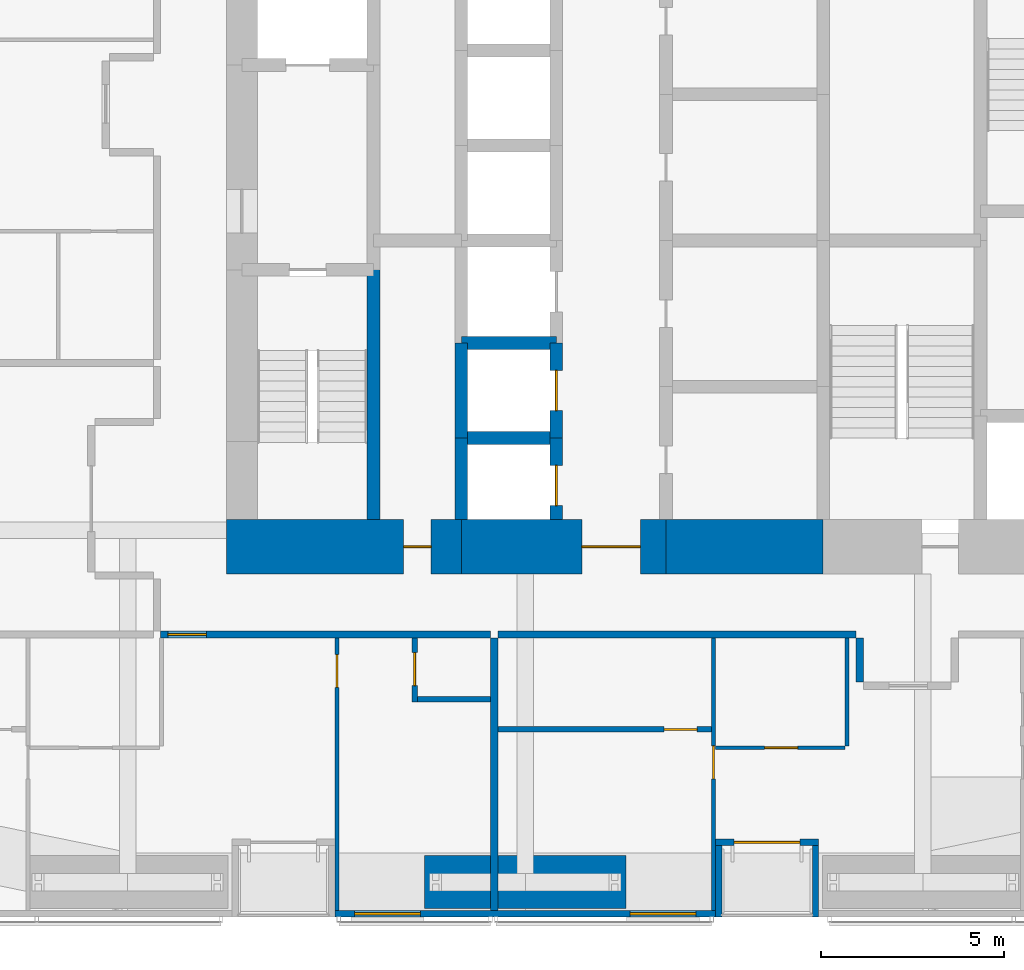
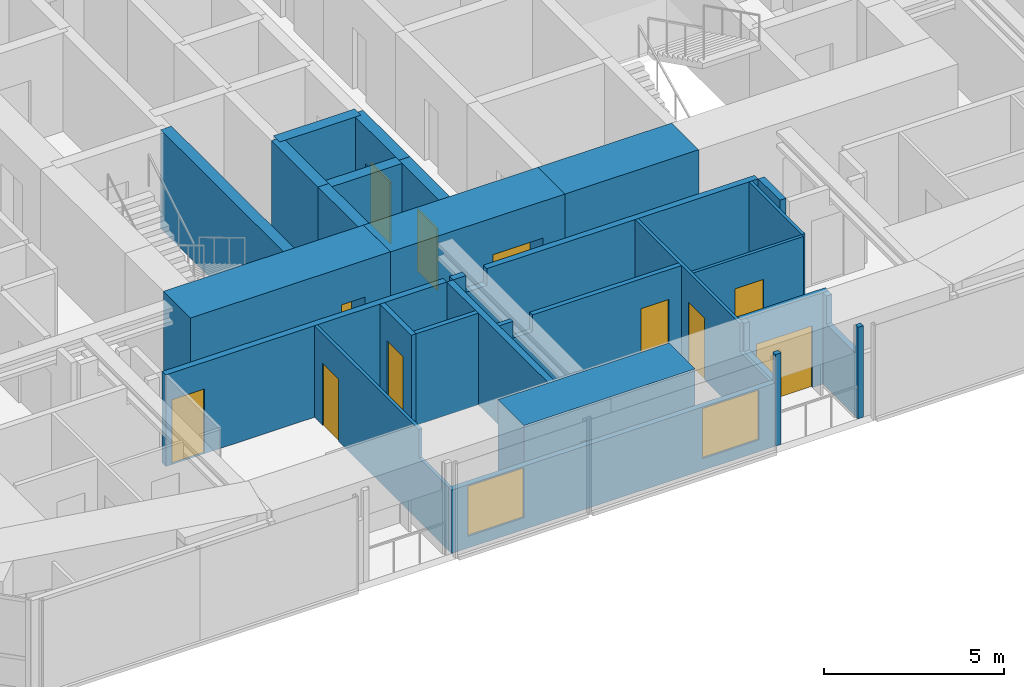
# One storey, part 18 of 24: 26 walls, 11 doors, 2 windows, 13 openings.
"""IFC4 building model written with IfcOpenShell, lengths in metres."""

from ifc_helpers import new_model, si_unit, direction, frame, frame_2d, origin, place, context, subcontext, project, spatial, polyline, rectangle, outline, extrude, material, layer, layer_set, constituent, constituent_set, type_object, element, fill, save


model = new_model("IFC4")

# Units and contexts
model_context = context("Model", 3, precision=1e-05, world=origin(), true_north=direction((0.0, 1.0)))
body_context = subcontext(model_context, "Body", "Model", "MODEL_VIEW")
ifc_project = project(units=[si_unit("LENGTHUNIT", "METRE"), si_unit("AREAUNIT", "SQUARE_METRE"), si_unit("VOLUMEUNIT", "CUBIC_METRE"), si_unit("PLANEANGLEUNIT", "RADIAN"), si_unit("MASSUNIT", "GRAM", prefix="KILO")], contexts=[model_context])

# Site, building, storey
site_placement = place(None, origin())
site = spatial("IfcSite", under=ifc_project, at=site_placement, CompositionType="ELEMENT")
building_placement = place(site_placement, origin())
building = spatial("IfcBuilding", under=site, at=building_placement, Name="Jalousie Tower", CompositionType="ELEMENT")
storey_placement = place(building_placement, frame((0.0, 0.0, 128.300048828125)))
storey = spatial("IfcBuildingStorey", under=building, at=storey_placement, Name="L35", CompositionType="ELEMENT", Elevation=128.300048828125)

# Wall, opening, door
ifc_material_1 = material(Name="Concrete block ASTM C90", Category="concrete")
ifc_constituent_1 = constituent(ifc_material_1, Name="Body")
ifc_material_2 = material(Name="Render")
ifc_constituent_2 = constituent(ifc_material_2, Name="Finish")
ifc_constituent_set_1 = constituent_set(constituents=[ifc_constituent_1, ifc_constituent_2])
wall_type_1 = type_object("IfcWallType", Name="BATHROOM WALL 150", PredefinedType="PLUMBINGWALL", material=ifc_constituent_set_1)
wall_1_placement = place(storey_placement, frame((27.0, 5.125, 0.0), z_axis=(0.0, 0.0, 1.0), x_axis=(1.0, 0.0, 0.0)))
wall_1 = element("IfcWall", 1, at=wall_1_placement, inside=storey, type_object=wall_type_1, Name="Bathroom Wall 150 L35", PredefinedType="PLUMBINGWALL", context=body_context, shape_type="SweptSolid", body=[
    extrude(outline(polyline([(0.0, 0.0), (5.85009765625, 0.0), (5.85009765625, 3.10986328125), (1.0625, 3.10986328125), (1.0625, 2.541015625), (0.4375, 2.541015625), (0.4375, 3.10986328125), (0.0, 3.10986328125), (0.0, 0.0)])), frame((0.0, 0.074951171875, 0.0), z_axis=(0.0, -1.0, 0.0), x_axis=(1.0, 0.0, 0.0)), (0.0, 0.0, 1.0), 0.14990234375),
])
opening_1_placement = place(wall_1_placement, frame((4.550048828125, 0.0, 0.0)))
opening_1 = element("IfcOpeningElement", 2, at=opening_1_placement, cuts=wall_1, Name="Opening D3", PredefinedType="OPENING", context=body_context, shape_type="SweptSolid", body=[
    extrude(rectangle(XDim=0.89990234375, YDim=2.10009765625, at=frame_2d((0.449951171875, 1.050048828125))), frame((0.0, 0.0849609375, 0.0), z_axis=(0.0, -1.0, 0.0), x_axis=(1.0, 0.0, 0.0)), (0.0, 0.0, 1.0), 0.169921875),
])
ifc_material_3 = material(Name="Timber door", Category="wood")
door_type_1 = type_object("IfcDoorType", Name="BATHROOM DOOR 900", OperationType="SINGLE_SWING_LEFT", PredefinedType="DOOR", material=ifc_material_3)
door_1_placement = place(opening_1_placement, origin())
door_1 = element("IfcDoor", 3, at=door_1_placement, inside=storey, type_object=door_type_1, Name="Apartment 3502 bedroom 1 bathroom door", OperationType="SINGLE_SWING_RIGHT", OverallHeight=2.10009765625, OverallWidth=0.89990234375, PredefinedType="DOOR", context=body_context, shape_type="SweptSolid", body=[
    extrude(rectangle(XDim=0.89990234375, YDim=2.10009765625, at=frame_2d((0.449951171875, 1.050048828125))), frame((0.0, 0.02490234375, 0.0), z_axis=(0.0, -1.0, 0.0), x_axis=(1.0, 0.0, 0.0)), (0.0, 0.0, 1.0), 0.050048828125),
])
fill(opening_1, door_1)

wall_2_placement = place(storey_placement, frame((24.72509765625, 7.625, 0.0), z_axis=(0.0, 0.0, 1.0), x_axis=(0.0, -1.0, 0.0)))
wall_2 = element("IfcWall", 4, at=wall_2_placement, inside=storey, type_object=wall_type_1, Name="Bathroom Wall 150 L35", PredefinedType="PLUMBINGWALL", context=body_context, shape_type="SweptSolid", body=[
    extrude(rectangle(XDim=1.75, YDim=0.14990234375, at=frame_2d((0.875, 0.0))), origin(), (0.0, 0.0, 1.0), 3.10986328125),
])
opening_2_placement = place(wall_2_placement, frame((0.39990234375, 0.0, 0.0)))
opening_2 = element("IfcOpeningElement", 5, at=opening_2_placement, cuts=wall_2, Name="Opening D7", PredefinedType="OPENING", context=body_context, shape_type="SweptSolid", body=[
    extrude(rectangle(XDim=0.89990234375, YDim=2.10009765625, at=frame_2d((0.449951171875, 1.050048828125))), frame((0.0, 0.0849609375, 0.0), z_axis=(0.0, -1.0, 0.0), x_axis=(1.0, 0.0, 0.0)), (0.0, 0.0, 1.0), 0.169921875),
])
ifc_material_4 = material(Name="Timber door", Category="wood")
door_type_2 = type_object("IfcDoorType", Name="INTERNAL DOOR 900", OperationType="SINGLE_SWING_LEFT", PredefinedType="DOOR", material=ifc_material_4)
door_2_placement = place(opening_2_placement, origin())
door_2 = element("IfcDoor", 6, at=door_2_placement, inside=storey, type_object=door_type_2, Name="Apartment 3501 guest WC door", OperationType="SINGLE_SWING_RIGHT", OverallHeight=2.10009765625, OverallWidth=0.89990234375, PredefinedType="DOOR", context=body_context, shape_type="SweptSolid", body=[
    extrude(rectangle(XDim=0.89990234375, YDim=2.10009765625, at=frame_2d((0.449951171875, 1.050048828125))), frame((0.0, 0.02490234375, 0.0), z_axis=(0.0, -1.0, 0.0), x_axis=(1.0, 0.0, 0.0)), (0.0, 0.0, 1.0), 0.050048828125),
])
fill(opening_2, door_2)

# Wall
wall_3_placement = place(storey_placement, frame((26.800048828125, 5.949951171875, 0.0), z_axis=(0.0, 0.0, 1.0), x_axis=(-1.0, 0.0, 0.0)))
element("IfcWall", 7, at=wall_3_placement, inside=storey, type_object=wall_type_1, Name="Bathroom Wall 150 L35", PredefinedType="PLUMBINGWALL", context=body_context, shape_type="SweptSolid", body=[
    extrude(rectangle(XDim=2.0, YDim=0.14990234375, at=frame_2d((1.0, 0.0))), origin(), (0.0, 0.0, 1.0), 3.10986328125),
])

# Wall, opening, door
ifc_material_5 = material(Name="Concrete f'c 120 MPa", Category="concrete")
ifc_layer_1 = layer(ifc_material_5, 1.5)
ifc_layer_set_1 = layer_set([ifc_layer_1], Name="Concrete f'c 120 MPa")
wall_type_2 = type_object("IfcWallType", Name="CORE WALL 1500", PredefinedType="SHEAR", material=ifc_layer_set_1)
wall_4_placement = place(storey_placement, frame((19.574951171875, 10.125, 0.0), z_axis=(0.0, 0.0, 1.0), x_axis=(1.0, 0.0, 0.0)))
wall_4 = element("IfcWall", 8, at=wall_4_placement, inside=storey, type_object=wall_type_2, Name="Core wall SA L35", PredefinedType="SHEAR", context=body_context, shape_type="SweptSolid", body=[
    extrude(rectangle(XDim=6.425048828125, YDim=1.5, at=frame_2d((3.21240234375, 0.0))), origin(), (0.0, 0.0, 1.0), 3.349853515625),
])
opening_3_placement = place(wall_4_placement, frame((4.85009765625, 0.0, 0.0)))
opening_3 = element("IfcOpeningElement", 9, at=opening_3_placement, cuts=wall_4, Name="Opening D16", PredefinedType="OPENING", context=body_context, shape_type="SweptSolid", body=[
    extrude(rectangle(XDim=0.75, YDim=2.10009765625, at=frame_2d((0.375, 1.050048828125))), frame((0.0, 0.760009765625, 0.0), z_axis=(0.0, -1.0, 0.0), x_axis=(1.0, 0.0, 0.0)), (0.0, 0.0, 1.0), 1.52001953125),
])
ifc_material_6 = material(Name="Steel fire door", Category="steel")
door_type_3 = type_object("IfcDoorType", Name="RISER DOOR 750", OperationType="SINGLE_SWING_LEFT", PredefinedType="DOOR", material=ifc_material_6)
door_3_placement = place(opening_3_placement, origin())
door_3 = element("IfcDoor", 10, at=door_3_placement, inside=storey, type_object=door_type_3, Name="South riser door", OperationType="SINGLE_SWING_LEFT", OverallHeight=2.10009765625, OverallWidth=0.75, PredefinedType="DOOR", context=body_context, shape_type="SweptSolid", body=[
    extrude(rectangle(XDim=0.75, YDim=2.10009765625, at=frame_2d((0.375, 1.050048828125))), frame((0.0, 0.02490234375, 0.0), z_axis=(0.0, -1.0, 0.0), x_axis=(1.0, 0.0, 0.0)), (0.0, 0.0, 1.0), 0.050048828125),
])
fill(opening_3, door_3)

wall_5_placement = place(storey_placement, frame((26.0, 10.125, 0.0), z_axis=(0.0, 0.0, 1.0), x_axis=(1.0, 0.0, 0.0)))
wall_5 = element("IfcWall", 11, at=wall_5_placement, inside=storey, type_object=wall_type_2, Name="Core wall SB L35", PredefinedType="SHEAR", context=body_context, shape_type="SweptSolid", body=[
    extrude(rectangle(XDim=5.60009765625, YDim=1.5, at=frame_2d((2.800048828125, 0.0))), origin(), (0.0, 0.0, 1.0), 3.349853515625),
])
opening_4_placement = place(wall_5_placement, frame((3.300048828125, 0.0, 0.0)))
opening_4 = element("IfcOpeningElement", 12, at=opening_4_placement, cuts=wall_5, Name="Opening D15", PredefinedType="OPENING", context=body_context, shape_type="SweptSolid", body=[
    extrude(rectangle(XDim=1.60009765625, YDim=2.10009765625, at=frame_2d((0.800048828125, 1.050048828125))), frame((0.0, 0.760009765625, 0.0), z_axis=(0.0, -1.0, 0.0), x_axis=(1.0, 0.0, 0.0)), (0.0, 0.0, 1.0), 1.52001953125),
])
ifc_material_7 = material(Name="Steel fire door", Category="steel")
door_type_4 = type_object("IfcDoorType", Name="LIFT LOBBY DOOR 1600", OperationType="DOUBLE_DOOR_SINGLE_SWING", PredefinedType="DOOR", material=ifc_material_7)
door_4_placement = place(opening_4_placement, origin())
door_4 = element("IfcDoor", 13, at=door_4_placement, inside=storey, type_object=door_type_4, Name="Lift lobby south door", OperationType="DOUBLE_DOOR_SINGLE_SWING", OverallHeight=2.10009765625, OverallWidth=1.60009765625, PredefinedType="DOOR", context=body_context, shape_type="SweptSolid", body=[
    extrude(rectangle(XDim=1.60009765625, YDim=2.10009765625, at=frame_2d((0.800048828125, 1.050048828125))), frame((0.0, 0.02490234375, 0.0), z_axis=(0.0, -1.0, 0.0), x_axis=(1.0, 0.0, 0.0)), (0.0, 0.0, 1.0), 0.050048828125),
])
fill(opening_4, door_4)

# Walls
wall_6_placement = place(storey_placement, frame((31.60009765625, 10.125, 0.0), z_axis=(0.0, 0.0, 1.0), x_axis=(1.0, 0.0, 0.0)))
element("IfcWall", 14, at=wall_6_placement, inside=storey, type_object=wall_type_2, Name="Core wall SC L35", PredefinedType="SHEAR", context=body_context, shape_type="SweptSolid", body=[
    extrude(rectangle(XDim=4.2998046875, YDim=1.5, at=frame_2d((2.14990234375, 0.0))), origin(), (0.0, 0.0, 1.0), 3.349853515625),
])
ifc_material_8 = material(Name="Concrete f'c 120 MPa", Category="concrete")
ifc_layer_2 = layer(ifc_material_8, 0.35009765625)
ifc_layer_set_2 = layer_set([ifc_layer_2], Name="Concrete f'c 120 MPa")
wall_type_3 = type_object("IfcWallType", Name="CORE WALL 350", PredefinedType="SHEAR", material=ifc_layer_set_2)
wall_7_placement = place(storey_placement, frame((23.60009765625, 10.875, 0.0), z_axis=(0.0, 0.0, 1.0), x_axis=(0.0, 1.0, 0.0)))
element("IfcWall", 15, at=wall_7_placement, inside=storey, type_object=wall_type_3, Name="Core wall X23.6A L35", PredefinedType="SHEAR", context=body_context, shape_type="SweptSolid", body=[
    extrude(rectangle(XDim=6.824951171875, YDim=0.35009765625, at=frame_2d((3.41259765625, 0.0))), origin(), (0.0, 0.0, 1.0), 3.349853515625),
])
wall_8_placement = place(storey_placement, frame((26.0, 10.875, 0.0), z_axis=(0.0, 0.0, 1.0), x_axis=(0.0, 1.0, 0.0)))
element("IfcWall", 16, at=wall_8_placement, inside=storey, type_object=wall_type_3, Name="Core wall X26A L35", PredefinedType="SHEAR", context=body_context, shape_type="SweptSolid", body=[
    extrude(rectangle(XDim=2.22509765625, YDim=0.35009765625, at=frame_2d((1.112548828125, 0.0))), origin(), (0.0, 0.0, 1.0), 3.349853515625),
])
wall_9_placement = place(storey_placement, frame((26.0, 13.10009765625, 0.0), z_axis=(0.0, 0.0, 1.0), x_axis=(0.0, 1.0, 0.0)))
element("IfcWall", 17, at=wall_9_placement, inside=storey, type_object=wall_type_3, Name="Core wall X26B L35", PredefinedType="SHEAR", context=body_context, shape_type="SweptSolid", body=[
    extrude(rectangle(XDim=2.599853515625, YDim=0.35009765625, at=frame_2d((1.2998046875, 0.0))), origin(), (0.0, 0.0, 1.0), 3.349853515625),
])

# Wall, opening, door
wall_10_placement = place(storey_placement, frame((28.60009765625, 10.875, 0.0), z_axis=(0.0, 0.0, 1.0), x_axis=(0.0, 1.0, 0.0)))
wall_10 = element("IfcWall", 18, at=wall_10_placement, inside=storey, type_object=wall_type_3, Name="Core wall X28.6A L35", PredefinedType="SHEAR", context=body_context, shape_type="SweptSolid", body=[
    extrude(rectangle(XDim=2.22509765625, YDim=0.35009765625, at=frame_2d((1.112548828125, 0.0))), origin(), (0.0, 0.0, 1.0), 3.349853515625),
])
opening_5_placement = place(wall_10_placement, frame((0.375, 0.0, 0.0)))
opening_5 = element("IfcOpeningElement", 19, at=opening_5_placement, cuts=wall_10, Name="Opening LD1", PredefinedType="OPENING", context=body_context, shape_type="SweptSolid", body=[
    extrude(rectangle(XDim=1.10009765625, YDim=2.10009765625, at=frame_2d((0.550048828125, 1.050048828125))), frame((0.0, 0.18505859375, 0.0), z_axis=(0.0, -1.0, 0.0), x_axis=(1.0, 0.0, 0.0)), (0.0, 0.0, 1.0), 0.3701171875),
])
ifc_material_9 = material(Name="Steel lift landing door", Category="steel")
door_type_5 = type_object("IfcDoorType", Name="LIFT LANDING DOOR 1100", OperationType="SLIDING_TO_LEFT", PredefinedType="DOOR", material=ifc_material_9)
door_5_placement = place(opening_5_placement, origin())
door_5 = element("IfcDoor", 20, at=door_5_placement, inside=storey, type_object=door_type_5, Name="Lift P1 landing door", OperationType="SLIDING_TO_LEFT", OverallHeight=2.10009765625, OverallWidth=1.10009765625, PredefinedType="DOOR", context=body_context, shape_type="SweptSolid", body=[
    extrude(rectangle(XDim=1.10009765625, YDim=2.10009765625, at=frame_2d((0.550048828125, 1.050048828125))), frame((0.0, 0.02490234375, 0.0), z_axis=(0.0, -1.0, 0.0), x_axis=(1.0, 0.0, 0.0)), (0.0, 0.0, 1.0), 0.050048828125),
])
fill(opening_5, door_5)

wall_11_placement = place(storey_placement, frame((28.60009765625, 13.10009765625, 0.0), z_axis=(0.0, 0.0, 1.0), x_axis=(0.0, 1.0, 0.0)))
wall_11 = element("IfcWall", 21, at=wall_11_placement, inside=storey, type_object=wall_type_3, Name="Core wall X28.6B L35", PredefinedType="SHEAR", context=body_context, shape_type="SweptSolid", body=[
    extrude(rectangle(XDim=2.599853515625, YDim=0.35009765625, at=frame_2d((1.2998046875, 0.0))), origin(), (0.0, 0.0, 1.0), 3.349853515625),
])
opening_6_placement = place(wall_11_placement, frame((0.75, 0.0, 0.0)))
opening_6 = element("IfcOpeningElement", 22, at=opening_6_placement, cuts=wall_11, Name="Opening LD1", PredefinedType="OPENING", context=body_context, shape_type="SweptSolid", body=[
    extrude(rectangle(XDim=1.10009765625, YDim=2.10009765625, at=frame_2d((0.550048828125, 1.050048828125))), frame((0.0, 0.18505859375, 0.0), z_axis=(0.0, -1.0, 0.0), x_axis=(1.0, 0.0, 0.0)), (0.0, 0.0, 1.0), 0.3701171875),
])
door_6_placement = place(opening_6_placement, origin())
door_6 = element("IfcDoor", 23, at=door_6_placement, inside=storey, type_object=door_type_5, Name="Lift P2 landing door", OperationType="SLIDING_TO_LEFT", OverallHeight=2.10009765625, OverallWidth=1.10009765625, PredefinedType="DOOR", context=body_context, shape_type="SweptSolid", body=[
    extrude(rectangle(XDim=1.10009765625, YDim=2.10009765625, at=frame_2d((0.550048828125, 1.050048828125))), frame((0.0, 0.02490234375, 0.0), z_axis=(0.0, -1.0, 0.0), x_axis=(1.0, 0.0, 0.0)), (0.0, 0.0, 1.0), 0.050048828125),
])
fill(opening_6, door_6)

# Walls
for number, where, z_axis, x_axis, name in (
    (24, (26.0, 13.10009765625, 0.0), (0.0, 0.0, 1.0), (1.0, 0.0, 0.0), "Core wall Y26-13.1 L35"),
    (25, (26.0, 15.699951171875, 0.0), (0.0, 0.0, 1.0), (1.0, 0.0, 0.0), "Core wall Y26-15.7 L35"),
):
    element("IfcWall", number, at=place(storey_placement, frame(where, z_axis=z_axis, x_axis=x_axis)), inside=storey, type_object=wall_type_3, Name=name, PredefinedType="SHEAR", context=body_context, shape_type="SweptSolid", body=[
        extrude(rectangle(XDim=2.60009765625, YDim=0.35009765625, at=frame_2d((1.300048828125, 0.0))), origin(), (0.0, 0.0, 1.0), 3.349853515625),
    ])

# Wall, opening, door
ifc_material_10 = material(Name="Concrete block ASTM C90", Category="concrete")
ifc_constituent_3 = constituent(ifc_material_10, Name="Body")
ifc_material_11 = material(Name="Render")
ifc_constituent_4 = constituent(ifc_material_11, Name="Finish")
ifc_constituent_set_2 = constituent_set(constituents=[ifc_constituent_3, ifc_constituent_4])
wall_type_4 = type_object("IfcWallType", Name="CORRIDOR WALL 200", PredefinedType="PARTITIONING", material=ifc_constituent_set_2)
wall_12_placement = place(storey_placement, frame((17.77490234375, 7.72509765625, 0.0), z_axis=(0.0, 0.0, 1.0), x_axis=(1.0, 0.0, 0.0)))
wall_12 = element("IfcWall", 26, at=wall_12_placement, inside=storey, type_object=wall_type_4, Name="Corridor Wall 200 L35", PredefinedType="PARTITIONING", context=body_context, shape_type="SweptSolid", body=[
    extrude(rectangle(XDim=9.025146484375, YDim=0.199951171875, at=frame_2d((4.5126953125, 0.0))), origin(), (0.0, 0.0, 1.0), 3.10986328125),
])
opening_7_placement = place(wall_12_placement, frame((0.199951171875, 0.0, 0.0)))
opening_7 = element("IfcOpeningElement", 27, at=opening_7_placement, cuts=wall_12, Name="Opening D1", PredefinedType="OPENING", context=body_context, shape_type="SweptSolid", body=[
    extrude(rectangle(XDim=1.050048828125, YDim=2.199951171875, at=frame_2d((0.52490234375, 1.10009765625))), frame((0.0, 0.10986328125, 0.0), z_axis=(0.0, -1.0, 0.0), x_axis=(1.0, 0.0, 0.0)), (0.0, 0.0, 1.0), 0.219970703125),
])
ifc_material_12 = material(Name="Timber fire door", Category="wood")
door_type_6 = type_object("IfcDoorType", Name="APARTMENT ENTRANCE DOOR 1050", OperationType="SINGLE_SWING_LEFT", PredefinedType="DOOR", material=ifc_material_12)
door_7_placement = place(opening_7_placement, frame((1.050048828125, 0.0, 0.0), z_axis=(0.0, 0.0, 1.0), x_axis=(-1.0, 0.0, 0.0)))
door_7 = element("IfcDoor", 28, at=door_7_placement, inside=storey, type_object=door_type_6, Name="Apartment 3501 entrance", OperationType="SINGLE_SWING_RIGHT", OverallHeight=2.199951171875, OverallWidth=1.050048828125, PredefinedType="DOOR", context=body_context, shape_type="SweptSolid", body=[
    extrude(rectangle(XDim=1.050048828125, YDim=2.199951171875, at=frame_2d((0.52490234375, 1.10009765625))), frame((0.0, 0.02490234375, 0.0), z_axis=(0.0, -1.0, 0.0), x_axis=(1.0, 0.0, 0.0)), (0.0, 0.0, 1.0), 0.050048828125),
])
fill(opening_7, door_7)

# Walls
wall_13_placement = place(storey_placement, frame((27.0, 7.72509765625, 0.0), z_axis=(0.0, 0.0, 1.0), x_axis=(1.0, 0.0, 0.0)))
element("IfcWall", 29, at=wall_13_placement, inside=storey, type_object=wall_type_4, Name="Corridor Wall 200 L35", PredefinedType="PARTITIONING", context=body_context, shape_type="SweptSolid", body=[
    extrude(outline(polyline([(0.0, 0.0), (9.800048828125, 0.0), (9.800048828125, 3.10986328125), (1.08740234375, 3.10986328125), (1.08740234375, 2.541015625), (0.41259765625, 2.541015625), (0.41259765625, 3.10986328125), (0.0, 3.10986328125), (0.0, 0.0)])), frame((0.0, 0.10009765625, 0.0), z_axis=(0.0, -1.0, 0.0), x_axis=(1.0, 0.0, 0.0)), (0.0, 0.0, 1.0), 0.199951171875),
])
wall_14_placement = place(storey_placement, frame((36.89990234375, 7.625, 0.0), z_axis=(0.0, 0.0, 1.0), x_axis=(0.0, -1.0, 0.0)))
element("IfcWall", 30, at=wall_14_placement, inside=storey, type_object=wall_type_4, Name="Corridor Wall 200 L35", PredefinedType="PARTITIONING", context=body_context, shape_type="SweptSolid", body=[
    extrude(rectangle(XDim=1.199951171875, YDim=0.199951171875, at=frame_2d((0.60009765625, 0.0))), origin(), (0.0, 0.0, 1.0), 3.10986328125),
])

# Wall, openings, windows
ifc_material_13 = material(Name="Concrete f'c 40 MPa", Category="concrete")
ifc_constituent_5 = constituent(ifc_material_13, Name="Body")
ifc_material_14 = material(Name="Render, pastel sea green")
ifc_constituent_6 = constituent(ifc_material_14, Name="Finish")
ifc_constituent_set_3 = constituent_set(constituents=[ifc_constituent_5, ifc_constituent_6])
wall_type_5 = type_object("IfcWallType", Name="EXTERNAL WALL 175 SEA GREEN RENDER", PredefinedType="SOLIDWALL", material=ifc_constituent_set_3)
wall_15_placement = place(storey_placement, frame((22.550048828125, 0.08740234375, 0.0), z_axis=(0.0, 0.0, 1.0), x_axis=(1.0, 0.0, 0.0)))
wall_15 = element("IfcWall", 31, at=wall_15_placement, inside=storey, type_object=wall_type_5, Name="External Wall 175 Sea Green Render L35", PredefinedType="SOLIDWALL", context=body_context, shape_type="SweptSolid", body=[
    extrude(rectangle(XDim=10.39990234375, YDim=0.175048828125, at=frame_2d((5.199951171875, 0.0))), origin(), (0.0, 0.0, 1.0), 2.14990234375),
])
opening_8_placement = place(wall_15_placement, frame((0.532470703125, 0.0, 0.39990234375)))
opening_8 = element("IfcOpeningElement", 32, at=opening_8_placement, cuts=wall_15, Name="Opening W-BED170", PredefinedType="OPENING", context=body_context, shape_type="SweptSolid", body=[
    extrude(rectangle(XDim=1.800048828125, YDim=1.699951171875, at=frame_2d((0.89990234375, 0.85009765625))), frame((0.0, 0.097412109375, 0.0), z_axis=(0.0, -1.0, 0.0), x_axis=(1.0, 0.0, 0.0)), (0.0, 0.0, 1.0), 0.195068359375),
])
opening_9_placement = place(wall_15_placement, frame((8.06494140625, 0.0, 0.39990234375)))
opening_9 = element("IfcOpeningElement", 33, at=opening_9_placement, cuts=wall_15, Name="Opening W-BED170", PredefinedType="OPENING", context=body_context, shape_type="SweptSolid", body=[
    extrude(rectangle(XDim=1.800048828125, YDim=1.699951171875, at=frame_2d((0.89990234375, 0.85009765625))), frame((0.0, 0.097412109375, 0.0), z_axis=(0.0, -1.0, 0.0), x_axis=(1.0, 0.0, 0.0)), (0.0, 0.0, 1.0), 0.195068359375),
])
ifc_material_15 = material(Name="Aluminium frame, impact-rated glazing", Category="aluminium")
window_type = type_object("IfcWindowType", Name="WINDOW BED 1800x1700", PartitioningType="SINGLE_PANEL", PredefinedType="WINDOW", material=ifc_material_15)
window_1_placement = place(opening_8_placement, origin())
window_1 = element("IfcWindow", 34, at=window_1_placement, inside=storey, type_object=window_type, Name="Apartment 3501 study window", OverallHeight=1.699951171875, OverallWidth=1.800048828125, PartitioningType="SINGLE_PANEL", PredefinedType="WINDOW", context=body_context, shape_type="SweptSolid", body=[
    extrude(rectangle(XDim=1.800048828125, YDim=1.699951171875, at=frame_2d((0.89990234375, 0.85009765625))), frame((0.0, 0.030029296875, 0.0), z_axis=(0.0, -1.0, 0.0), x_axis=(1.0, 0.0, 0.0)), (0.0, 0.0, 1.0), 0.06005859375),
])
fill(opening_8, window_1)
window_2_placement = place(opening_9_placement, origin())
window_2 = element("IfcWindow", 35, at=window_2_placement, inside=storey, type_object=window_type, Name="Apartment 3502 bedroom 1 window", OverallHeight=1.699951171875, OverallWidth=1.800048828125, PartitioningType="SINGLE_PANEL", PredefinedType="WINDOW", context=body_context, shape_type="SweptSolid", body=[
    extrude(rectangle(XDim=1.800048828125, YDim=1.699951171875, at=frame_2d((0.89990234375, 0.85009765625))), frame((0.0, 0.030029296875, 0.0), z_axis=(0.0, -1.0, 0.0), x_axis=(1.0, 0.0, 0.0)), (0.0, 0.0, 1.0), 0.06005859375),
])
fill(opening_9, window_2)

# Wall, opening, door
wall_16_placement = place(storey_placement, frame((32.949951171875, 2.03759765625, 0.0), z_axis=(0.0, 0.0, 1.0), x_axis=(1.0, 0.0, 0.0)))
wall_16 = element("IfcWall", 36, at=wall_16_placement, inside=storey, type_object=wall_type_5, Name="External Wall 175 Sea Green Render L35", PredefinedType="SOLIDWALL", context=body_context, shape_type="SweptSolid", body=[
    extrude(rectangle(XDim=2.824951171875, YDim=0.175048828125, at=frame_2d((1.41259765625, 0.0))), origin(), (0.0, 0.0, 1.0), 3.10986328125),
])
opening_10_placement = place(wall_16_placement, frame((0.512451171875, 0.0, 0.0)))
opening_10 = element("IfcOpeningElement", 37, at=opening_10_placement, cuts=wall_16, Name="Opening D-BAL21", PredefinedType="OPENING", context=body_context, shape_type="SweptSolid", body=[
    extrude(rectangle(XDim=1.800048828125, YDim=2.10009765625, at=frame_2d((0.89990234375, 1.050048828125))), frame((0.0, 0.097412109375, 0.0), z_axis=(0.0, -1.0, 0.0), x_axis=(1.0, 0.0, 0.0)), (0.0, 0.0, 1.0), 0.195068359375),
])
ifc_material_16 = material(Name="Aluminium frame, impact-rated glazing", Category="aluminium")
door_type_7 = type_object("IfcDoorType", Name="BALCONY DOOR 1800x2100", OperationType="SLIDING_TO_LEFT", PredefinedType="DOOR", material=ifc_material_16)
door_8_placement = place(opening_10_placement, origin())
door_8 = element("IfcDoor", 38, at=door_8_placement, inside=storey, type_object=door_type_7, Name="Apartment 3502 living and dining room loggia door", OperationType="SLIDING_TO_LEFT", OverallHeight=2.10009765625, OverallWidth=1.800048828125, PredefinedType="DOOR", context=body_context, shape_type="SweptSolid", body=[
    extrude(rectangle(XDim=1.800048828125, YDim=2.10009765625, at=frame_2d((0.89990234375, 1.050048828125))), frame((0.0, 0.02490234375, 0.0), z_axis=(0.0, -1.0, 0.0), x_axis=(1.0, 0.0, 0.0)), (0.0, 0.0, 1.0), 0.050048828125),
])
fill(opening_10, door_8)

# Walls
for number, where, z_axis, x_axis, name in (
    (39, (33.03759765625, 0.0, 0.0), (0.0, 0.0, 1.0), (0.0, 1.0, 0.0), "External Wall 175 Sea Green Render L35"),
    (40, (35.6875, 0.0, 0.0), (0.0, 0.0, 1.0), (0.0, 1.0, 0.0), "External Wall 175 Sea Green Render L35"),
):
    element("IfcWall", number, at=place(storey_placement, frame(where, z_axis=z_axis, x_axis=x_axis)), inside=storey, type_object=wall_type_5, Name=name, PredefinedType="SOLIDWALL", context=body_context, shape_type="SweptSolid", body=[
        extrude(outline(polyline([(0.0, 0.0), (1.949951171875, 0.0), (1.949951171875, 3.10986328125), (1.75, 3.10986328125), (1.75, 2.14990234375), (0.14990234375, 2.14990234375), (0.14990234375, 3.10986328125), (0.0, 3.10986328125), (0.0, 0.0)])), frame((0.0, 0.08740234375, 0.0), z_axis=(0.0, -1.0, 0.0), x_axis=(1.0, 0.0, 0.0)), (0.0, 0.0, 1.0), 0.175048828125),
    ])

# Wall, opening, door
ifc_material_17 = material(Name="Gypsum board", Category="gypsum")
ifc_constituent_7 = constituent(ifc_material_17, Name="Body")
ifc_material_18 = material(Name="Light-gauge steel studs ASTM A653 SS Grade 33", Category="steel")
ifc_constituent_8 = constituent(ifc_material_18, Name="Framing")
ifc_constituent_set_4 = constituent_set(constituents=[ifc_constituent_7, ifc_constituent_8])
wall_type_6 = type_object("IfcWallType", Name="PARTITION 100", PredefinedType="PARTITIONING", material=ifc_constituent_set_4)
wall_17_placement = place(storey_placement, frame((22.60009765625, 0.175048828125, 0.0), z_axis=(0.0, 0.0, 1.0), x_axis=(0.0, 1.0, 0.0)))
wall_17 = element("IfcWall", 41, at=wall_17_placement, inside=storey, type_object=wall_type_6, Name="Partition 100 L35", PredefinedType="PARTITIONING", context=body_context, shape_type="SweptSolid", body=[
    extrude(outline(polyline([(0.0, 0.0), (7.449951171875, 0.0), (7.449951171875, 3.10986328125), (1.635009765625, 3.10986328125), (1.635009765625, 2.14990234375), (0.0, 2.14990234375), (0.0, 3.10986328125), (0.0, 0.0)])), frame((0.0, 0.050048828125, 0.0), z_axis=(0.0, -1.0, 0.0), x_axis=(1.0, 0.0, 0.0)), (0.0, 0.0, 1.0), 0.10009765625),
])
opening_11_placement = place(wall_17_placement, frame((6.10009765625, 0.0, 0.0)))
opening_11 = element("IfcOpeningElement", 42, at=opening_11_placement, cuts=wall_17, Name="Opening D2", PredefinedType="OPENING", context=body_context, shape_type="SweptSolid", body=[
    extrude(rectangle(XDim=0.89990234375, YDim=2.10009765625, at=frame_2d((0.449951171875, 1.050048828125))), frame((0.0, 0.06005859375, 0.0), z_axis=(0.0, -1.0, 0.0), x_axis=(1.0, 0.0, 0.0)), (0.0, 0.0, 1.0), 0.1201171875),
])
ifc_material_19 = material(Name="Timber door", Category="wood")
door_type_8 = type_object("IfcDoorType", Name="BEDROOM DOOR 900", OperationType="SINGLE_SWING_LEFT", PredefinedType="DOOR", material=ifc_material_19)
door_9_placement = place(opening_11_placement, frame((0.89990234375, 0.0, 0.0), z_axis=(0.0, 0.0, 1.0), x_axis=(-1.0, 0.0, 0.0)))
door_9 = element("IfcDoor", 43, at=door_9_placement, inside=storey, type_object=door_type_8, Name="Apartment 3501 study door", OperationType="SINGLE_SWING_LEFT", OverallHeight=2.10009765625, OverallWidth=0.89990234375, PredefinedType="DOOR", context=body_context, shape_type="SweptSolid", body=[
    extrude(rectangle(XDim=0.89990234375, YDim=2.10009765625, at=frame_2d((0.449951171875, 1.050048828125))), frame((0.0, 0.02490234375, 0.0), z_axis=(0.0, -1.0, 0.0), x_axis=(1.0, 0.0, 0.0)), (0.0, 0.0, 1.0), 0.050048828125),
])
fill(opening_11, door_9)

wall_18_placement = place(storey_placement, frame((32.89990234375, 0.175048828125, 0.0), z_axis=(0.0, 0.0, 1.0), x_axis=(0.0, 1.0, 0.0)))
wall_18 = element("IfcWall", 44, at=wall_18_placement, inside=storey, type_object=wall_type_6, Name="Partition 100 L35", PredefinedType="PARTITIONING", context=body_context, shape_type="SweptSolid", body=[
    extrude(outline(polyline([(0.0, 0.0), (7.449951171875, 0.0), (7.449951171875, 3.10986328125), (1.635009765625, 3.10986328125), (1.635009765625, 2.14990234375), (0.0, 2.14990234375), (0.0, 3.10986328125), (0.0, 0.0)])), frame((0.0, 0.050048828125, 0.0), z_axis=(0.0, -1.0, 0.0), x_axis=(1.0, 0.0, 0.0)), (0.0, 0.0, 1.0), 0.10009765625),
])
opening_12_placement = place(wall_18_placement, frame((3.60009765625, 0.0, 0.0)))
opening_12 = element("IfcOpeningElement", 45, at=opening_12_placement, cuts=wall_18, Name="Opening D2", PredefinedType="OPENING", context=body_context, shape_type="SweptSolid", body=[
    extrude(rectangle(XDim=0.89990234375, YDim=2.10009765625, at=frame_2d((0.449951171875, 1.050048828125))), frame((0.0, 0.06005859375, 0.0), z_axis=(0.0, -1.0, 0.0), x_axis=(1.0, 0.0, 0.0)), (0.0, 0.0, 1.0), 0.1201171875),
])
door_10_placement = place(opening_12_placement, origin())
door_10 = element("IfcDoor", 46, at=door_10_placement, inside=storey, type_object=door_type_8, Name="Apartment 3502 bedroom 1 door", OperationType="SINGLE_SWING_RIGHT", OverallHeight=2.10009765625, OverallWidth=0.89990234375, PredefinedType="DOOR", context=body_context, shape_type="SweptSolid", body=[
    extrude(rectangle(XDim=0.89990234375, YDim=2.10009765625, at=frame_2d((0.449951171875, 1.050048828125))), frame((0.0, 0.02490234375, 0.0), z_axis=(0.0, -1.0, 0.0), x_axis=(1.0, 0.0, 0.0)), (0.0, 0.0, 1.0), 0.050048828125),
])
fill(opening_12, door_10)

wall_19_placement = place(storey_placement, frame((32.949951171875, 4.625, 0.0), z_axis=(0.0, 0.0, 1.0), x_axis=(1.0, 0.0, 0.0)))
wall_19 = element("IfcWall", 47, at=wall_19_placement, inside=storey, type_object=wall_type_6, Name="Partition 100 L35", PredefinedType="PARTITIONING", context=body_context, shape_type="SweptSolid", body=[
    extrude(rectangle(XDim=3.550048828125, YDim=0.10009765625, at=frame_2d((1.77490234375, 0.0))), origin(), (0.0, 0.0, 1.0), 3.10986328125),
])
opening_13_placement = place(wall_19_placement, frame((1.35009765625, 0.0, 0.0)))
opening_13 = element("IfcOpeningElement", 48, at=opening_13_placement, cuts=wall_19, Name="Opening D7", PredefinedType="OPENING", context=body_context, shape_type="SweptSolid", body=[
    extrude(rectangle(XDim=0.89990234375, YDim=2.10009765625, at=frame_2d((0.449951171875, 1.050048828125))), frame((0.0, 0.06005859375, 0.0), z_axis=(0.0, -1.0, 0.0), x_axis=(1.0, 0.0, 0.0)), (0.0, 0.0, 1.0), 0.1201171875),
])
door_11_placement = place(opening_13_placement, origin())
door_11 = element("IfcDoor", 49, at=door_11_placement, inside=storey, type_object=door_type_2, Name="Apartment 3502 kitchen door", OperationType="SINGLE_SWING_RIGHT", OverallHeight=2.10009765625, OverallWidth=0.89990234375, PredefinedType="DOOR", context=body_context, shape_type="SweptSolid", body=[
    extrude(rectangle(XDim=0.89990234375, YDim=2.10009765625, at=frame_2d((0.449951171875, 1.050048828125))), frame((0.0, 0.02490234375, 0.0), z_axis=(0.0, -1.0, 0.0), x_axis=(1.0, 0.0, 0.0)), (0.0, 0.0, 1.0), 0.050048828125),
])
fill(opening_13, door_11)

# Walls
wall_20_placement = place(storey_placement, frame((36.550048828125, 4.675048828125, 0.0), z_axis=(0.0, 0.0, 1.0), x_axis=(0.0, 1.0, 0.0)))
element("IfcWall", 50, at=wall_20_placement, inside=storey, type_object=wall_type_6, Name="Partition 100 L35", PredefinedType="PARTITIONING", context=body_context, shape_type="SweptSolid", body=[
    extrude(rectangle(XDim=2.949951171875, YDim=0.10009765625, at=frame_2d((1.47509765625, 0.0))), origin(), (0.0, 0.0, 1.0), 3.10986328125),
])
ifc_material_20 = material(Name="Concrete block ASTM C90", Category="concrete")
ifc_constituent_9 = constituent(ifc_material_20, Name="Body")
ifc_material_21 = material(Name="Render")
ifc_constituent_10 = constituent(ifc_material_21, Name="Finish")
ifc_constituent_set_5 = constituent_set(constituents=[ifc_constituent_9, ifc_constituent_10])
wall_type_7 = type_object("IfcWallType", Name="PARTY WALL 200", PredefinedType="PARTITIONING", material=ifc_constituent_set_5)
wall_21_placement = place(storey_placement, frame((26.89990234375, 0.175048828125, 0.0), z_axis=(0.0, 0.0, 1.0), x_axis=(0.0, 1.0, 0.0)))
element("IfcWall", 51, at=wall_21_placement, inside=storey, type_object=wall_type_7, Name="Party Wall 200 L35", PredefinedType="PARTITIONING", context=body_context, shape_type="SweptSolid", body=[
    extrude(outline(polyline([(0.52880859375, 2.14990234375), (0.0, 2.14990234375), (0.0, 0.0), (0.52880859375, 0.0), (0.52880859375, 0.9228515625), (1.021240234375, 0.9228515625), (1.021240234375, 0.0), (7.449951171875, 0.0), (7.449951171875, 3.10986328125), (1.68505859375, 3.10986328125), (1.68505859375, 2.14990234375), (1.021240234375, 2.14990234375), (1.021240234375, 1.22705078125), (0.52880859375, 1.22705078125), (0.52880859375, 2.14990234375)])), frame((0.0, 0.10009765625, 0.0), z_axis=(0.0, -1.0, 0.0), x_axis=(1.0, 0.0, 0.0)), (0.0, 0.0, 1.0), 0.199951171875),
])
ifc_material_22 = material(Name="Concrete f'c 120 MPa", Category="concrete")
ifc_layer_3 = layer(ifc_material_22, 1.449951171875)
ifc_layer_set_3 = layer_set([ifc_layer_3], Name="Concrete f'c 120 MPa")
wall_type_8 = type_object("IfcWallType", Name="RC WALL PIER 1450", PredefinedType="SHEAR", material=ifc_layer_set_3)
wall_22_placement = place(storey_placement, frame((25.0, 0.949951171875, 0.0), z_axis=(0.0, 0.0, 1.0), x_axis=(1.0, 0.0, 0.0)))
element("IfcWall", 52, at=wall_22_placement, inside=storey, type_object=wall_type_8, Name="Wall pier 03 L35", PredefinedType="SHEAR", context=body_context, shape_type="SweptSolid", body=[
    extrude(rectangle(XDim=5.5, YDim=1.449951171875, at=frame_2d((2.75, 0.0))), origin(), (0.0, 0.0, 1.0), 3.349853515625),
])

save(model, "model.ifc")
